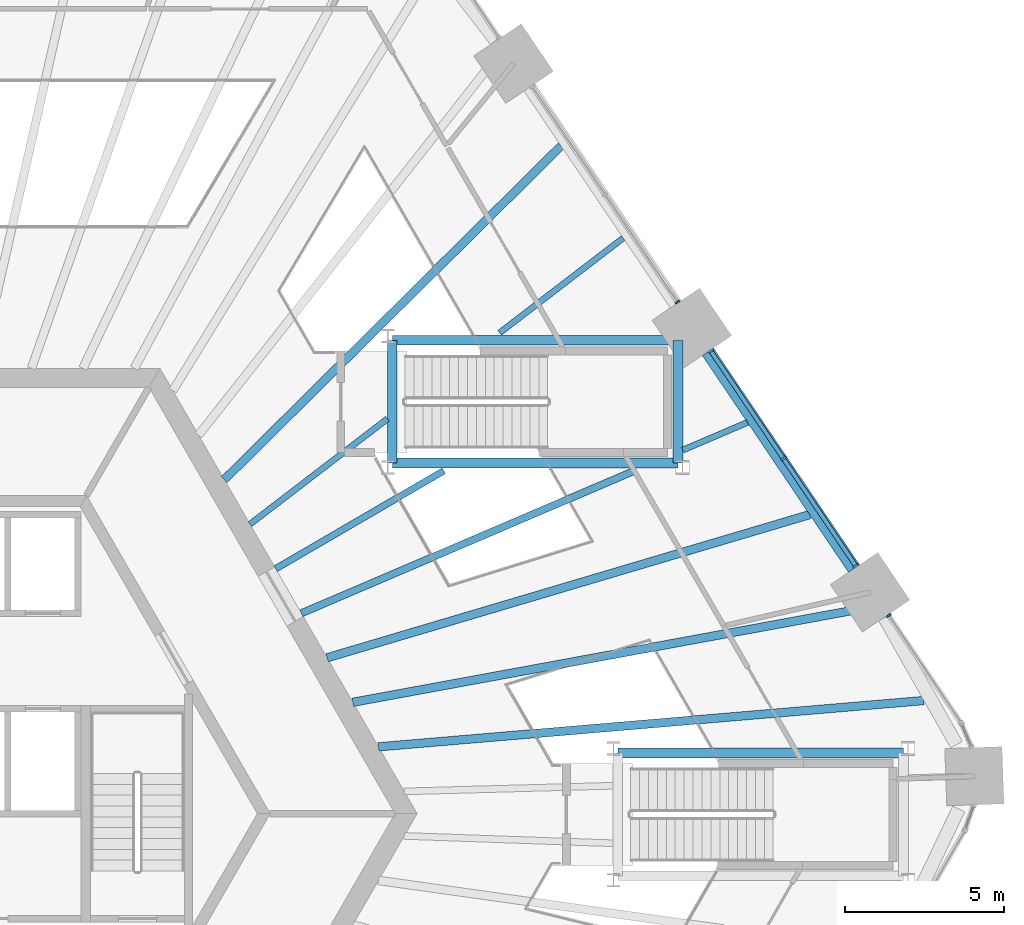
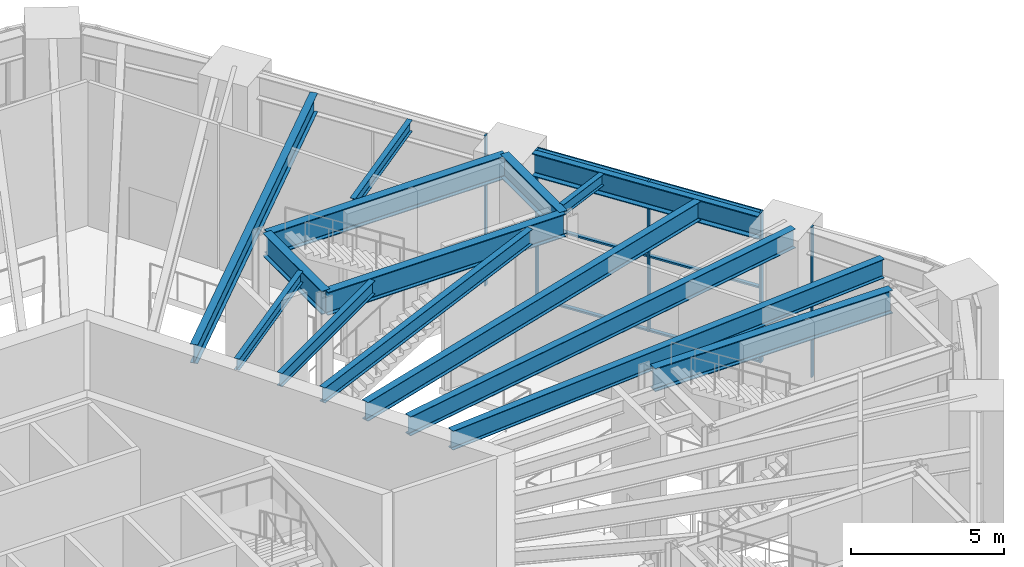
# One storey, part 9 of 32: 15 beams, 11 members, 3 elements without a shape of their own.
"""IFC4 building model written with IfcOpenShell, lengths in metres."""

from ifc_helpers import new_model, si_unit, direction, frame, origin, origin_2d, place, context, subcontext, project, spatial, rectangle, i_section, extrude, material, material_profile, profile_set, type_object, element, aggregate, save


model = new_model("IFC4")

# Units and contexts
model_context = context("Model", 3, precision=1e-05, world=origin(), true_north=direction((0.0, 1.0)))
body_context = subcontext(model_context, "Body", "Model", "MODEL_VIEW")
ifc_project = project(units=[si_unit("LENGTHUNIT", "METRE"), si_unit("AREAUNIT", "SQUARE_METRE"), si_unit("VOLUMEUNIT", "CUBIC_METRE"), si_unit("PLANEANGLEUNIT", "RADIAN"), si_unit("MASSUNIT", "GRAM", prefix="KILO")], contexts=[model_context])

# Site, building, storey
site_placement = place(None, origin())
site = spatial("IfcSite", under=ifc_project, at=site_placement, CompositionType="ELEMENT")
building_placement = place(site_placement, origin())
building = spatial("IfcBuilding", under=site, at=building_placement, Name="Tarnside Tower", CompositionType="ELEMENT")
storey_placement = place(building_placement, frame((0.0, 0.0, 9.0)))
storey = spatial("IfcBuildingStorey", under=building, at=storey_placement, Name="L01", CompositionType="ELEMENT", Elevation=9.0)

# Beams
ifc_material_1 = material(Name="Steel S355", Category="steel")
ifc_material_profile_1 = material_profile(ifc_material_1, i_section(OverallWidth=0.18994140625, OverallDepth=0.453369140625, WebThickness=0.008544921875, FlangeThickness=0.0126953125, FilletRadius=0.01025390625, at=origin_2d()), Name="UB 457x191x67")
ifc_profile_set_1 = profile_set([ifc_material_profile_1], Name="Steel S355")
beam_type_1 = type_object("IfcBeamType", Name="Floor beam UB 457x191x67", PredefinedType="BEAM", material=ifc_profile_set_1)
beam_1_placement = place(storey_placement, frame((26.551513671875, 12.298828125, 5.523193359375), z_axis=(-0.919441609872, -0.393226558153, 0.0), x_axis=(0.393226558153, -0.919441609872, 0.0)))
element("IfcBeam", 1, at=beam_1_placement, inside=storey, type_object=beam_type_1, Name="Floor beam F6.04a", PredefinedType="BEAM", context=body_context, shape_type="SweptSolid", body=[
    extrude(i_section(OverallWidth=0.18994140625, OverallDepth=0.453369140625, WebThickness=0.008544921875, FlangeThickness=0.0126953125, FilletRadius=0.01025390625, at=origin_2d()), origin(), (0.0, 0.0, 1.0), 2.212158203125),
])
beam_2_placement = place(storey_placement, frame((22.643310546875, 18.093505859375, 5.523193359375), z_axis=(-0.793636087197, -0.608392768775, 0.0), x_axis=(0.608392768775, -0.793636087197, 0.0)))
element("IfcBeam", 2, at=beam_2_placement, inside=storey, type_object=beam_type_1, Name="Floor beam F6.06a", PredefinedType="BEAM", context=body_context, shape_type="SweptSolid", body=[
    extrude(i_section(OverallWidth=0.18994140625, OverallDepth=0.453369140625, WebThickness=0.008544921875, FlangeThickness=0.0126953125, FilletRadius=0.01025390625, at=origin_2d()), origin(), (0.0, 0.0, 1.0), 4.890869140625),
])
beam_3_placement = place(storey_placement, frame((15.232421875, 12.412109375, 5.523193359375), z_axis=(-0.793643172009, -0.60838352667, 0.0), x_axis=(0.60838352667, -0.793643172009, 0.0)))
element("IfcBeam", 3, at=beam_3_placement, inside=storey, type_object=beam_type_1, Name="Floor beam F6.06b", PredefinedType="BEAM", context=body_context, shape_type="SweptSolid", body=[
    extrude(i_section(OverallWidth=0.18994140625, OverallDepth=0.453369140625, WebThickness=0.008544921875, FlangeThickness=0.0126953125, FilletRadius=0.01025390625, at=origin_2d()), origin(), (0.0, 0.0, 1.0), 5.44384765625),
])
ifc_material_profile_2 = material_profile(ifc_material_1, i_section(OverallWidth=0.209228515625, OverallDepth=0.533203125, WebThickness=0.010009765625, FlangeThickness=0.015625, FilletRadius=0.0126953125, at=origin_2d()), Name="UB 533x210x92")
ifc_profile_set_2 = profile_set([ifc_material_profile_2], Name="Steel S355")
beam_type_2 = type_object("IfcBeamType", Name="Floor beam UB 533x210x92", PredefinedType="BEAM", material=ifc_profile_set_2)
beam_4_placement = place(storey_placement, frame((17.0048828125, 10.776611328125, 5.4833984375), z_axis=(-0.864210101903, -0.503131096007, 0.0), x_axis=(0.503131096007, -0.864210101903, 0.0)))
element("IfcBeam", 4, at=beam_4_placement, inside=storey, type_object=beam_type_2, Name="Floor beam F6.05", PredefinedType="BEAM", context=body_context, shape_type="SweptSolid", body=[
    extrude(i_section(OverallWidth=0.209228515625, OverallDepth=0.533203125, WebThickness=0.010009765625, FlangeThickness=0.015625, FilletRadius=0.0126953125, at=origin_2d()), origin(), (0.0, 0.0, 1.0), 6.114990234375),
])
ifc_material_profile_3 = material_profile(ifc_material_1, i_section(OverallWidth=0.228271484375, OverallDepth=0.607666015625, WebThickness=0.010986328125, FlangeThickness=0.017333984375, FilletRadius=0.0126953125, at=origin_2d()), Name="UB 610x229x113")
ifc_profile_set_3 = profile_set([ifc_material_profile_3], Name="Steel S355")
beam_type_3 = type_object("IfcBeamType", Name="Floor beam UB 610x229x113", PredefinedType="BEAM", material=ifc_profile_set_3)
beam_5_placement = place(storey_placement, frame((22.947509765625, 10.757080078125, 5.4462890625), z_axis=(-0.919407809439, -0.393305580868, 0.0), x_axis=(0.393305580868, -0.919407809439, 0.0)))
element("IfcBeam", 5, at=beam_5_placement, inside=storey, type_object=beam_type_3, Name="Floor beam F6.04b", PredefinedType="BEAM", context=body_context, shape_type="SweptSolid", body=[
    extrude(i_section(OverallWidth=0.228271484375, OverallDepth=0.607666015625, WebThickness=0.010986328125, FlangeThickness=0.017333984375, FilletRadius=0.0126953125, at=origin_2d()), origin(), (0.0, 0.0, 1.0), 11.332275390625),
])
ifc_material_profile_4 = material_profile(ifc_material_1, i_section(OverallWidth=0.26513671875, OverallDepth=0.75390625, WebThickness=0.0126953125, FlangeThickness=0.017578125, FilletRadius=0.0166015625, at=origin_2d()), Name="UB 762x267x147")
ifc_profile_set_4 = profile_set([ifc_material_profile_4], Name="Steel S355")
beam_type_4 = type_object("IfcBeamType", Name="Floor beam UB 762x267x147", PredefinedType="BEAM", material=ifc_profile_set_4)
beam_6_placement = place(storey_placement, frame((28.507080078125, 9.39990234375, 5.373046875), z_axis=(-0.958709656164, -0.284386700073, 0.0), x_axis=(0.284386700073, -0.958709656164, 0.0)))
element("IfcBeam", 6, at=beam_6_placement, inside=storey, type_object=beam_type_4, Name="Floor beam F6.03", PredefinedType="BEAM", context=body_context, shape_type="SweptSolid", body=[
    extrude(i_section(OverallWidth=0.26513671875, OverallDepth=0.75390625, WebThickness=0.0126953125, FlangeThickness=0.017578125, FilletRadius=0.0166015625, at=origin_2d()), origin(), (0.0, 0.0, 1.0), 15.823486328125),
])
beam_7_placement = place(storey_placement, frame((20.690185546875, 20.98876953125, 5.373046875), z_axis=(-0.710383794714, -0.703814509801, 0.0), x_axis=(0.703814509801, -0.710383794714, 0.0)))
element("IfcBeam", 7, at=beam_7_placement, inside=storey, type_object=beam_type_4, Name="Floor beam F6.07", PredefinedType="BEAM", context=body_context, shape_type="SweptSolid", body=[
    extrude(i_section(OverallWidth=0.26513671875, OverallDepth=0.75390625, WebThickness=0.0126953125, FlangeThickness=0.017578125, FilletRadius=0.0166015625, at=origin_2d()), origin(), (0.0, 0.0, 1.0), 14.90283203125),
])
ifc_material_profile_5 = material_profile(ifc_material_1, i_section(OverallWidth=0.2666015625, OverallDepth=0.76220703125, WebThickness=0.014404296875, FlangeThickness=0.021484375, FilletRadius=0.0166015625, at=origin_2d()), Name="UB 762x267x173")
ifc_profile_set_5 = profile_set([ifc_material_profile_5], Name="Steel S355")
beam_type_5 = type_object("IfcBeamType", Name="Floor beam UB 762x267x173", PredefinedType="BEAM", material=ifc_profile_set_5)
beam_8_placement = place(storey_placement, frame((32.09423828125, 3.5556640625, 5.368896484375), z_axis=(-0.996413859407, -0.084613360535, 0.0), x_axis=(0.084613360535, -0.996413859407, 0.0)))
element("IfcBeam", 8, at=beam_8_placement, inside=storey, type_object=beam_type_5, Name="Floor beam F6.01", PredefinedType="BEAM", context=body_context, shape_type="SweptSolid", body=[
    extrude(i_section(OverallWidth=0.2666015625, OverallDepth=0.76220703125, WebThickness=0.014404296875, FlangeThickness=0.021484375, FilletRadius=0.0166015625, at=origin_2d()), origin(), (0.0, 0.0, 1.0), 17.20263671875),
])
beam_9_placement = place(storey_placement, frame((30.42919921875, 6.493408203125, 5.368896484375), z_axis=(-0.983521009802, -0.180793869583, 0.0), x_axis=(0.180793869583, -0.983521009802, 0.0)))
element("IfcBeam", 9, at=beam_9_placement, inside=storey, type_object=beam_type_5, Name="Floor beam F6.02", PredefinedType="BEAM", context=body_context, shape_type="SweptSolid", body=[
    extrude(i_section(OverallWidth=0.2666015625, OverallDepth=0.76220703125, WebThickness=0.014404296875, FlangeThickness=0.021484375, FilletRadius=0.0166015625, at=origin_2d()), origin(), (0.0, 0.0, 1.0), 16.55712890625),
])

# Curtain wall, members
ifc_material_2 = material(Name="Lobby entrance glazing wall", Category="glass")
curtain_wall_type_1 = type_object("IfcCurtainWallType", Name="Lobby entrance glazing wall", PredefinedType="NOTDEFINED", material=ifc_material_2)
curtain_wall_1_placement = place(storey_placement, origin())
curtain_wall_1 = element("IfcCurtainWall", 10, at=curtain_wall_1_placement, inside=storey, type_object=curtain_wall_type_1, Name="Lobby entrance glazing L01 20.0", PredefinedType="NOTDEFINED")
ifc_material_3 = material(Name="Aluminium alloy 6063", Category="aluminium")
ifc_material_profile_6 = material_profile(ifc_material_3, rectangle(XDim=0.179931640625, YDim=0.070068359375, at=origin_2d()), Name="Lobby entrance glazing mullion 70 x 180")
ifc_profile_set_6 = profile_set([ifc_material_profile_6], Name="Aluminium alloy 6063")
member_type_1 = type_object("IfcMemberType", Name="Lobby entrance glazing mullion 70 x 180", PredefinedType="MULLION", material=ifc_profile_set_6)
member_1_placement = place(storey_placement, frame((29.959228515625, 7.783935546875, -0.25), z_axis=(0.0, 0.0, 1.0), x_axis=(-0.829037572545, -0.559192903485, 0.0)))
member_1 = element("IfcMember", 11, at=member_1_placement, type_object=member_type_1, Name="CW3 mullion 1", PredefinedType="MULLION", context=body_context, shape_type="SweptSolid", body=[
    extrude(rectangle(XDim=0.179931640625, YDim=0.070068359375, at=origin_2d()), origin(), (0.0, 0.0, 1.0), 6.0),
])
member_2_placement = place(storey_placement, frame((27.679443359375, 11.163818359375, -0.25), z_axis=(0.0, 0.0, 1.0), x_axis=(-0.829037572545, -0.559192903485, 0.0)))
member_2 = element("IfcMember", 12, at=member_2_placement, type_object=member_type_1, Name="CW3 mullion 2", PredefinedType="MULLION", context=body_context, shape_type="SweptSolid", body=[
    extrude(rectangle(XDim=0.179931640625, YDim=0.070068359375, at=origin_2d()), origin(), (0.0, 0.0, 1.0), 6.0),
])
member_3_placement = place(storey_placement, frame((25.399658203125, 14.543701171875, -0.25), z_axis=(0.0, 0.0, 1.0), x_axis=(-0.829037572545, -0.559192903485, 0.0)))
member_3 = element("IfcMember", 13, at=member_3_placement, type_object=member_type_1, Name="CW3 mullion 3", PredefinedType="MULLION", context=body_context, shape_type="SweptSolid", body=[
    extrude(rectangle(XDim=0.179931640625, YDim=0.070068359375, at=origin_2d()), origin(), (0.0, 0.0, 1.0), 6.0),
])
ifc_material_profile_7 = material_profile(ifc_material_3, rectangle(XDim=0.139892578125, YDim=0.070068359375, at=origin_2d()), Name="Lobby entrance glazing transom 70 x 140")
ifc_profile_set_7 = profile_set([ifc_material_profile_7], Name="Aluminium alloy 6063")
member_type_2 = type_object("IfcMemberType", Name="Lobby entrance glazing transom 70 x 140", PredefinedType="USERDEFINED", material=ifc_profile_set_7)
member_4_placement = place(storey_placement, frame((29.939697265625, 7.81298828125, -0.215087890625), z_axis=(-0.55921958429, 0.82901957549, 0.0), x_axis=(-0.82901957549, -0.55921958429, 0.0)))
member_4 = element("IfcMember", 14, at=member_4_placement, type_object=member_type_2, Name="CW3 transom 1.1", ObjectType="TRANSOM", PredefinedType="USERDEFINED", context=body_context, shape_type="SweptSolid", body=[
    extrude(rectangle(XDim=0.139892578125, YDim=0.070068359375, at=origin_2d()), origin(), (0.0, 0.0, 1.0), 4.0068359375),
])
member_5_placement = place(storey_placement, frame((29.939697265625, 7.81298828125, 2.75), z_axis=(-0.55921958429, 0.82901957549, 0.0), x_axis=(-0.82901957549, -0.55921958429, 0.0)))
member_5 = element("IfcMember", 15, at=member_5_placement, type_object=member_type_2, Name="CW3 transom 1.2", ObjectType="TRANSOM", PredefinedType="USERDEFINED", context=body_context, shape_type="SweptSolid", body=[
    extrude(rectangle(XDim=0.139892578125, YDim=0.070068359375, at=origin_2d()), origin(), (0.0, 0.0, 1.0), 4.0068359375),
])
member_6_placement = place(storey_placement, frame((29.939697265625, 7.81298828125, 5.715087890625), z_axis=(-0.55921958429, 0.82901957549, 0.0), x_axis=(-0.82901957549, -0.55921958429, 0.0)))
member_6 = element("IfcMember", 16, at=member_6_placement, type_object=member_type_2, Name="CW3 transom 1.3", ObjectType="TRANSOM", PredefinedType="USERDEFINED", context=body_context, shape_type="SweptSolid", body=[
    extrude(rectangle(XDim=0.139892578125, YDim=0.070068359375, at=origin_2d()), origin(), (0.0, 0.0, 1.0), 4.0068359375),
])
member_7_placement = place(storey_placement, frame((27.659912109375, 11.19287109375, -0.215087890625), z_axis=(-0.55921958429, 0.82901957549, 0.0), x_axis=(-0.82901957549, -0.55921958429, 0.0)))
member_7 = element("IfcMember", 17, at=member_7_placement, type_object=member_type_2, Name="CW3 transom 2.1", ObjectType="TRANSOM", PredefinedType="USERDEFINED", context=body_context, shape_type="SweptSolid", body=[
    extrude(rectangle(XDim=0.139892578125, YDim=0.070068359375, at=origin_2d()), origin(), (0.0, 0.0, 1.0), 4.0068359375),
])
member_8_placement = place(storey_placement, frame((27.659912109375, 11.19287109375, 2.75), z_axis=(-0.55921958429, 0.82901957549, 0.0), x_axis=(-0.82901957549, -0.55921958429, 0.0)))
member_8 = element("IfcMember", 18, at=member_8_placement, type_object=member_type_2, Name="CW3 transom 2.2", ObjectType="TRANSOM", PredefinedType="USERDEFINED", context=body_context, shape_type="SweptSolid", body=[
    extrude(rectangle(XDim=0.139892578125, YDim=0.070068359375, at=origin_2d()), origin(), (0.0, 0.0, 1.0), 4.0068359375),
])
member_9_placement = place(storey_placement, frame((27.659912109375, 11.19287109375, 5.715087890625), z_axis=(-0.55921958429, 0.82901957549, 0.0), x_axis=(-0.82901957549, -0.55921958429, 0.0)))
member_9 = element("IfcMember", 19, at=member_9_placement, type_object=member_type_2, Name="CW3 transom 2.3", ObjectType="TRANSOM", PredefinedType="USERDEFINED", context=body_context, shape_type="SweptSolid", body=[
    extrude(rectangle(XDim=0.139892578125, YDim=0.070068359375, at=origin_2d()), origin(), (0.0, 0.0, 1.0), 4.0068359375),
])
aggregate(curtain_wall_1, [member_1, member_2, member_3, member_4, member_5, member_6, member_7, member_8, member_9])

# Beams
ifc_material_profile_8 = material_profile(ifc_material_1, i_section(OverallWidth=0.3076171875, OverallDepth=0.926513671875, WebThickness=0.01953125, FlangeThickness=0.031982421875, FilletRadius=0.01904296875, at=origin_2d()), Name="UB 914x305x289")
ifc_profile_set_8 = profile_set([ifc_material_profile_8], Name="Steel S355")
beam_type_6 = type_object("IfcBeamType", Name="Perimeter girder UB 914x305x289", PredefinedType="BEAM", material=ifc_profile_set_8)
beam_10_placement = place(storey_placement, frame((22.476318359375, 1.90380859375, 5.28662109375), z_axis=(1.0, 0.0, 0.0), x_axis=(0.0, 1.0, 0.0)))
element("IfcBeam", 20, at=beam_10_placement, inside=storey, type_object=beam_type_6, Name="Perimeter girder T12", PredefinedType="BEAM", context=body_context, shape_type="SweptSolid", body=[
    extrude(i_section(OverallWidth=0.3076171875, OverallDepth=0.926513671875, WebThickness=0.01953125, FlangeThickness=0.031982421875, FilletRadius=0.01904296875, at=origin_2d()), origin(), (0.0, 0.0, 1.0), 8.9775390625),
])
beam_11_placement = place(storey_placement, frame((24.36376953125, 14.87890625, 5.28662109375), z_axis=(0.0, -1.0, 0.0), x_axis=(1.0, 0.0, 0.0)))
element("IfcBeam", 21, at=beam_11_placement, inside=storey, type_object=beam_type_6, Name="Perimeter girder T13", PredefinedType="BEAM", context=body_context, shape_type="SweptSolid", body=[
    extrude(i_section(OverallWidth=0.3076171875, OverallDepth=0.926513671875, WebThickness=0.01953125, FlangeThickness=0.031982421875, FilletRadius=0.01904296875, at=origin_2d()), origin(), (0.0, 0.0, 1.0), 3.857666015625),
])
beam_12_placement = place(storey_placement, frame((24.36376953125, 11.021240234375, 5.28662109375), z_axis=(-1.0, 0.0, 0.0), x_axis=(0.0, -1.0, 0.0)))
element("IfcBeam", 22, at=beam_12_placement, inside=storey, type_object=beam_type_6, Name="Perimeter girder T14", PredefinedType="BEAM", context=body_context, shape_type="SweptSolid", body=[
    extrude(i_section(OverallWidth=0.3076171875, OverallDepth=0.926513671875, WebThickness=0.01953125, FlangeThickness=0.031982421875, FilletRadius=0.01904296875, at=origin_2d()), origin(), (0.0, 0.0, 1.0), 8.9775390625),
])
beam_13_placement = place(storey_placement, frame((15.38623046875, 11.021240234375, 5.28662109375), z_axis=(0.0, 1.0, 0.0), x_axis=(-1.0, 0.0, 0.0)))
element("IfcBeam", 23, at=beam_13_placement, inside=storey, type_object=beam_type_6, Name="Perimeter girder T15", PredefinedType="BEAM", context=body_context, shape_type="SweptSolid", body=[
    extrude(i_section(OverallWidth=0.3076171875, OverallDepth=0.926513671875, WebThickness=0.01953125, FlangeThickness=0.031982421875, FilletRadius=0.01904296875, at=origin_2d()), origin(), (0.0, 0.0, 1.0), 3.857666015625),
])
beam_14_placement = place(storey_placement, frame((15.38623046875, 14.87890625, 5.28662109375), z_axis=(1.0, 0.0, 0.0), x_axis=(0.0, 1.0, 0.0)))
element("IfcBeam", 24, at=beam_14_placement, inside=storey, type_object=beam_type_6, Name="Perimeter girder T16", PredefinedType="BEAM", context=body_context, shape_type="SweptSolid", body=[
    extrude(i_section(OverallWidth=0.3076171875, OverallDepth=0.926513671875, WebThickness=0.01953125, FlangeThickness=0.031982421875, FilletRadius=0.01904296875, at=origin_2d()), origin(), (0.0, 0.0, 1.0), 8.9775390625),
])
ifc_material_4 = material(Name="Steel S460", Category="steel")
ifc_material_profile_9 = material_profile(ifc_material_4, i_section(OverallWidth=0.42041015625, OverallDepth=0.9208984375, WebThickness=0.021484375, FlangeThickness=0.03662109375, FilletRadius=0.024169921875, at=origin_2d()), Name="UB 914x419x388")
ifc_profile_set_9 = profile_set([ifc_material_profile_9], Name="Steel S460")
beam_type_7 = type_object("IfcBeamType", Name="Perimeter girder UB 914x419x388", PredefinedType="BEAM", material=ifc_profile_set_9)
beam_15_placement = place(storey_placement, frame((29.904052734375, 7.70458984375, 5.28955078125), z_axis=(-0.559186275376, 0.829042043223, 0.0), x_axis=(-0.829042043223, -0.559186275376, 0.0)))
element("IfcBeam", 25, at=beam_15_placement, inside=storey, type_object=beam_type_7, Name="Perimeter girder M21", PredefinedType="BEAM", context=body_context, shape_type="SweptSolid", body=[
    extrude(i_section(OverallWidth=0.42041015625, OverallDepth=0.9208984375, WebThickness=0.021484375, FlangeThickness=0.03662109375, FilletRadius=0.024169921875, at=origin_2d()), origin(), (0.0, 0.0, 1.0), 8.223876953125),
])

# Curtain wall, member
ifc_material_5 = material(Name="Retail shopfront glazing wall", Category="glass")
curtain_wall_type_2 = type_object("IfcCurtainWallType", Name="Retail shopfront glazing wall", PredefinedType="NOTDEFINED", material=ifc_material_5)
curtain_wall_2_placement = place(storey_placement, origin())
curtain_wall_2 = element("IfcCurtainWall", 26, at=curtain_wall_2_placement, inside=storey, type_object=curtain_wall_type_2, Name="Retail shopfront glazing L01 19.1", PredefinedType="NOTDEFINED")
ifc_material_profile_10 = material_profile(ifc_material_3, rectangle(XDim=0.159912109375, YDim=0.06005859375, at=origin_2d()), Name="Retail shopfront glazing mullion 60 x 160")
ifc_profile_set_10 = profile_set([ifc_material_profile_10], Name="Aluminium alloy 6063")
member_type_3 = type_object("IfcMemberType", Name="Retail shopfront glazing mullion 60 x 160", PredefinedType="MULLION", material=ifc_profile_set_10)
member_10_placement = place(storey_placement, frame((30.99365234375, 6.232177734375, -0.25), z_axis=(0.0, 0.0, 1.0), x_axis=(-0.829037572487, -0.559192903572, 0.0)))
member_10 = element("IfcMember", 27, at=member_10_placement, type_object=member_type_3, Name="CW2 mullion 2", PredefinedType="MULLION", context=body_context, shape_type="SweptSolid", body=[
    extrude(rectangle(XDim=0.159912109375, YDim=0.06005859375, at=origin_2d()), origin(), (0.0, 0.0, 1.0), 6.0),
])
aggregate(curtain_wall_2, [member_10])

curtain_wall_3_placement = place(storey_placement, origin())
curtain_wall_3 = element("IfcCurtainWall", 28, at=curtain_wall_3_placement, inside=storey, type_object=curtain_wall_type_2, Name="Retail shopfront glazing L01 21.0", PredefinedType="NOTDEFINED")
member_11_placement = place(storey_placement, frame((24.348388671875, 16.084228515625, -0.25), z_axis=(0.0, 0.0, 1.0), x_axis=(-0.829037572545, -0.559192903485, 0.0)))
member_11 = element("IfcMember", 29, at=member_11_placement, type_object=member_type_3, Name="CW2 mullion 1", PredefinedType="MULLION", context=body_context, shape_type="SweptSolid", body=[
    extrude(rectangle(XDim=0.159912109375, YDim=0.06005859375, at=origin_2d()), origin(), (0.0, 0.0, 1.0), 6.0),
])
aggregate(curtain_wall_3, [member_11])

save(model, "model.ifc")
